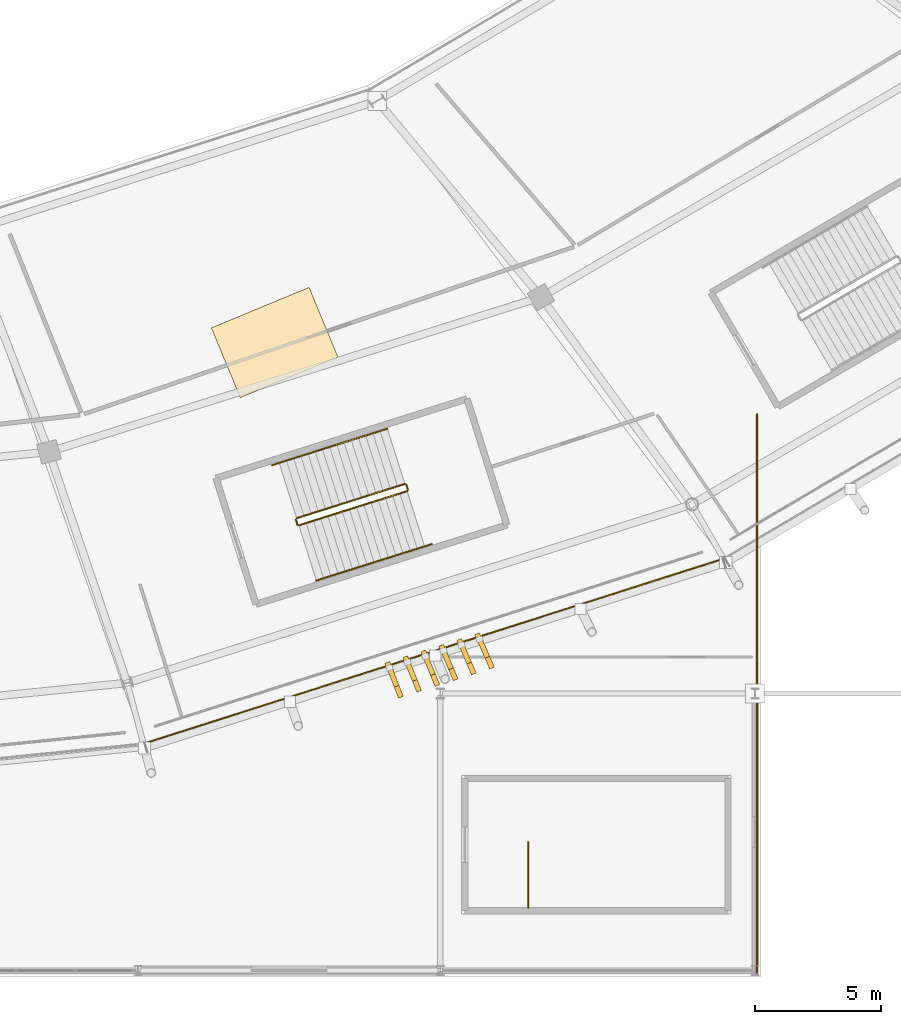
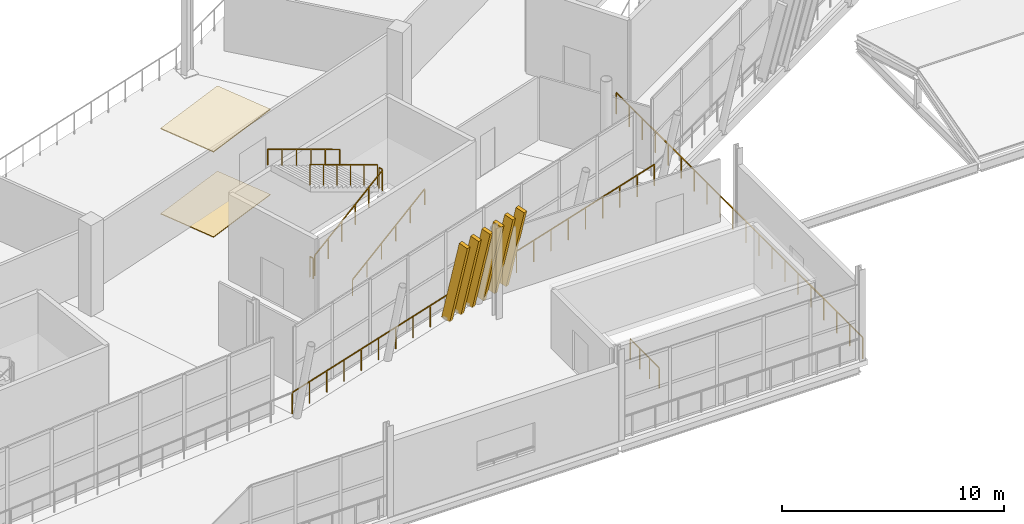
# One storey, part 159 of 179: 9 railings, 6 shading devices, 2 coverings.
"""IFC4 building model written with IfcOpenShell, lengths in metres."""

from ifc_helpers import new_model, si_unit, direction, frame, origin, origin_2d, place, context, subcontext, project, spatial, polyline, rectangle, outline, extrude, material, layer, layer_set, material_profile, profile_set, type_object, element, save


model = new_model("IFC4")

# Units and contexts
model_context = context("Model", 3, precision=1e-05, world=origin(), true_north=direction((0.0, 1.0)))
body_context = subcontext(model_context, "Body", "Model", "MODEL_VIEW")
ifc_project = project(units=[si_unit("LENGTHUNIT", "METRE"), si_unit("AREAUNIT", "SQUARE_METRE"), si_unit("VOLUMEUNIT", "CUBIC_METRE"), si_unit("PLANEANGLEUNIT", "RADIAN"), si_unit("MASSUNIT", "GRAM", prefix="KILO")], contexts=[model_context])

# Site, building, storey
site_placement = place(None, origin())
site = spatial("IfcSite", under=ifc_project, at=site_placement, CompositionType="ELEMENT")
building_placement = place(site_placement, origin())
building = spatial("IfcBuilding", under=site, at=building_placement, Name="Zlatoyarsky Gate Stadium", CompositionType="ELEMENT")
storey_placement = place(building_placement, frame((0.0, 0.0, 10.60009765625)))
storey = spatial("IfcBuildingStorey", under=building, at=storey_placement, Name="L02", CompositionType="ELEMENT", Elevation=10.60009765625)

# Railings
ifc_material_1 = material(Name="Powder-coated steel tubular guardrail", Category="steel")
railing_type_1 = type_object("IfcRailingType", Name="CONCOURSE SLAB EDGE GUARDRAIL 1200", PredefinedType="GUARDRAIL", material=ifc_material_1)
railing_1_placement = place(storey_placement, frame((135.71630859375, 9.00830078125, 0.0)))
element("IfcRailing", 1, at=railing_1_placement, inside=storey, type_object=railing_type_1, Name="L02 outer slab edge guardrail 19", PredefinedType="GUARDRAIL", context=body_context, shape_type="SweptSolid", body=[
    extrude(rectangle(XDim=0.048095703125, YDim=0.048095703125, at=origin_2d()), frame((0.0, 0.0, 1.17578125), z_axis=(0.952758246059, 0.303729689966, 0.0), x_axis=(-0.303729689966, 0.952758246059, 0.0)), (0.0, 0.0, 1.0), 24.173828125),
    extrude(rectangle(XDim=0.0419921875, YDim=0.0419921875, at=origin_2d()), origin(), (0.0, 0.0, 1.0), 1.15185546875),
    extrude(rectangle(XDim=0.0419921875, YDim=0.0419921875, at=origin_2d()), frame((1.0966796875, 0.349609375, 0.0)), (0.0, 0.0, 1.0), 1.15185546875),
    extrude(rectangle(XDim=0.0419921875, YDim=0.0419921875, at=origin_2d()), frame((2.193603515625, 0.69921875, 0.0)), (0.0, 0.0, 1.0), 1.15185546875),
    extrude(rectangle(XDim=0.0419921875, YDim=0.0419921875, at=origin_2d()), frame((3.290283203125, 1.048828125, 0.0)), (0.0, 0.0, 1.0), 1.15185546875),
    extrude(rectangle(XDim=0.0419921875, YDim=0.0419921875, at=origin_2d()), frame((4.386962890625, 1.3984375, 0.0)), (0.0, 0.0, 1.0), 1.15185546875),
    extrude(rectangle(XDim=0.0419921875, YDim=0.0419921875, at=origin_2d()), frame((5.483642578125, 1.748046875, 0.0)), (0.0, 0.0, 1.0), 1.15185546875),
    extrude(rectangle(XDim=0.0419921875, YDim=0.0419921875, at=origin_2d()), frame((6.58056640625, 2.097900390625, 0.0)), (0.0, 0.0, 1.0), 1.15185546875),
    extrude(rectangle(XDim=0.0419921875, YDim=0.0419921875, at=origin_2d()), frame((7.67724609375, 2.447509765625, 0.0)), (0.0, 0.0, 1.0), 1.15185546875),
    extrude(rectangle(XDim=0.0419921875, YDim=0.0419921875, at=origin_2d()), frame((8.77392578125, 2.797119140625, 0.0)), (0.0, 0.0, 1.0), 1.15185546875),
    extrude(rectangle(XDim=0.0419921875, YDim=0.0419921875, at=origin_2d()), frame((9.870849609375, 3.146728515625, 0.0)), (0.0, 0.0, 1.0), 1.15185546875),
    extrude(rectangle(XDim=0.0419921875, YDim=0.0419921875, at=origin_2d()), frame((10.967529296875, 3.496337890625, 0.0)), (0.0, 0.0, 1.0), 1.15185546875),
    extrude(rectangle(XDim=0.0419921875, YDim=0.0419921875, at=origin_2d()), frame((12.064208984375, 3.845947265625, 0.0)), (0.0, 0.0, 1.0), 1.15185546875),
    extrude(rectangle(XDim=0.0419921875, YDim=0.0419921875, at=origin_2d()), frame((13.160888671875, 4.195556640625, 0.0)), (0.0, 0.0, 1.0), 1.15185546875),
    extrude(rectangle(XDim=0.0419921875, YDim=0.0419921875, at=origin_2d()), frame((14.2578125, 4.545166015625, 0.0)), (0.0, 0.0, 1.0), 1.15185546875),
    extrude(rectangle(XDim=0.0419921875, YDim=0.0419921875, at=origin_2d()), frame((15.3544921875, 4.894775390625, 0.0)), (0.0, 0.0, 1.0), 1.15185546875),
    extrude(rectangle(XDim=0.0419921875, YDim=0.0419921875, at=origin_2d()), frame((16.451171875, 5.244384765625, 0.0)), (0.0, 0.0, 1.0), 1.15185546875),
    extrude(rectangle(XDim=0.0419921875, YDim=0.0419921875, at=origin_2d()), frame((17.548095703125, 5.59423828125, 0.0)), (0.0, 0.0, 1.0), 1.15185546875),
    extrude(rectangle(XDim=0.0419921875, YDim=0.0419921875, at=origin_2d()), frame((18.644775390625, 5.94384765625, 0.0)), (0.0, 0.0, 1.0), 1.15185546875),
    extrude(rectangle(XDim=0.0419921875, YDim=0.0419921875, at=origin_2d()), frame((19.741455078125, 6.29345703125, 0.0)), (0.0, 0.0, 1.0), 1.15185546875),
    extrude(rectangle(XDim=0.0419921875, YDim=0.0419921875, at=origin_2d()), frame((20.838134765625, 6.64306640625, 0.0)), (0.0, 0.0, 1.0), 1.15185546875),
    extrude(rectangle(XDim=0.0419921875, YDim=0.0419921875, at=origin_2d()), frame((21.93505859375, 6.99267578125, 0.0)), (0.0, 0.0, 1.0), 1.15185546875),
    extrude(rectangle(XDim=0.0419921875, YDim=0.0419921875, at=origin_2d()), frame((23.03173828125, 7.34228515625, 0.0)), (0.0, 0.0, 1.0), 1.15185546875),
])
railing_2_placement = place(storey_placement, frame((160.080078125, -0.080078125, 0.0)))
element("IfcRailing", 2, at=railing_2_placement, inside=storey, type_object=railing_type_1, Name="V3_SOUTH L02 E slab edge guardrail", PredefinedType="GUARDRAIL", context=body_context, shape_type="SweptSolid", body=[
    extrude(rectangle(XDim=0.048095703125, YDim=0.048095703125, at=origin_2d()), frame((0.0, 0.0, 1.17578125), z_axis=(0.0, 1.0, 0.0), x_axis=(-1.0, 0.0, 0.0)), (0.0, 0.0, 1.0), 22.16015625),
    extrude(rectangle(XDim=0.0419921875, YDim=0.0419921875, at=origin_2d()), origin(), (0.0, 0.0, 1.0), 1.15185546875),
    extrude(rectangle(XDim=0.0419921875, YDim=0.0419921875, at=origin_2d()), frame((0.0, 1.166259765625, 0.0)), (0.0, 0.0, 1.0), 1.15185546875),
    extrude(rectangle(XDim=0.0419921875, YDim=0.0419921875, at=origin_2d()), frame((0.0, 2.332763671875, 0.0)), (0.0, 0.0, 1.0), 1.15185546875),
    extrude(rectangle(XDim=0.0419921875, YDim=0.0419921875, at=origin_2d()), frame((0.0, 3.4990234375, 0.0)), (0.0, 0.0, 1.0), 1.15185546875),
    extrude(rectangle(XDim=0.0419921875, YDim=0.0419921875, at=origin_2d()), frame((0.0, 4.665283203125, 0.0)), (0.0, 0.0, 1.0), 1.15185546875),
    extrude(rectangle(XDim=0.0419921875, YDim=0.0419921875, at=origin_2d()), frame((0.0, 5.83154296875, 0.0)), (0.0, 0.0, 1.0), 1.15185546875),
    extrude(rectangle(XDim=0.0419921875, YDim=0.0419921875, at=origin_2d()), frame((0.0, 6.998046875, 0.0)), (0.0, 0.0, 1.0), 1.15185546875),
    extrude(rectangle(XDim=0.0419921875, YDim=0.0419921875, at=origin_2d()), frame((0.0, 8.164306640625, 0.0)), (0.0, 0.0, 1.0), 1.15185546875),
    extrude(rectangle(XDim=0.0419921875, YDim=0.0419921875, at=origin_2d()), frame((0.0, 9.33056640625, 0.0)), (0.0, 0.0, 1.0), 1.15185546875),
    extrude(rectangle(XDim=0.0419921875, YDim=0.0419921875, at=origin_2d()), frame((0.0, 10.496826171875, 0.0)), (0.0, 0.0, 1.0), 1.15185546875),
    extrude(rectangle(XDim=0.0419921875, YDim=0.0419921875, at=origin_2d()), frame((0.0, 11.663330078125, 0.0)), (0.0, 0.0, 1.0), 1.15185546875),
    extrude(rectangle(XDim=0.0419921875, YDim=0.0419921875, at=origin_2d()), frame((0.0, 12.82958984375, 0.0)), (0.0, 0.0, 1.0), 1.15185546875),
    extrude(rectangle(XDim=0.0419921875, YDim=0.0419921875, at=origin_2d()), frame((0.0, 13.995849609375, 0.0)), (0.0, 0.0, 1.0), 1.15185546875),
    extrude(rectangle(XDim=0.0419921875, YDim=0.0419921875, at=origin_2d()), frame((0.0, 15.162109375, 0.0)), (0.0, 0.0, 1.0), 1.15185546875),
    extrude(rectangle(XDim=0.0419921875, YDim=0.0419921875, at=origin_2d()), frame((0.0, 16.32861328125, 0.0)), (0.0, 0.0, 1.0), 1.15185546875),
    extrude(rectangle(XDim=0.0419921875, YDim=0.0419921875, at=origin_2d()), frame((0.0, 17.494873046875, 0.0)), (0.0, 0.0, 1.0), 1.15185546875),
    extrude(rectangle(XDim=0.0419921875, YDim=0.0419921875, at=origin_2d()), frame((0.0, 18.6611328125, 0.0)), (0.0, 0.0, 1.0), 1.15185546875),
    extrude(rectangle(XDim=0.0419921875, YDim=0.0419921875, at=origin_2d()), frame((0.0, 19.827392578125, 0.0)), (0.0, 0.0, 1.0), 1.15185546875),
    extrude(rectangle(XDim=0.0419921875, YDim=0.0419921875, at=origin_2d()), frame((0.0, 20.993896484375, 0.0)), (0.0, 0.0, 1.0), 1.15185546875),
    extrude(rectangle(XDim=0.0419921875, YDim=0.0419921875, at=origin_2d()), frame((0.0, 22.16015625, 0.0)), (0.0, 0.0, 1.0), 1.15185546875),
])
ifc_material_2 = material(Name="Powder-coated steel stair guardrail", Category="steel")
railing_type_2 = type_object("IfcRailingType", Name="PAINTED STEEL STAIR WELL GUARDRAIL 1150", PredefinedType="GUARDRAIL", material=ifc_material_2)
railing_3_placement = place(storey_placement, frame((141.891357421875, 17.678466796875, 0.15625)))
element("IfcRailing", 3, at=railing_3_placement, inside=storey, type_object=railing_type_2, Name="ST-16 L02 stair guard 1", PredefinedType="GUARDRAIL", context=body_context, shape_type="SweptSolid", body=[
    extrude(rectangle(XDim=0.048095703125, YDim=0.048095703125, at=origin_2d()), frame((0.0, 0.0, 1.1259765625), z_axis=(0.845655031246, 0.26738577574, 0.461922520624), x_axis=(-0.301476673217, 0.953473552599, 0.0)), (0.0, 0.0, 1.0), 5.073974609375),
    extrude(rectangle(XDim=0.0419921875, YDim=0.0419921875, at=origin_2d()), origin(), (0.0, 0.0, 1.0), 1.101806640625),
    extrude(rectangle(XDim=0.0419921875, YDim=0.0419921875, at=origin_2d()), frame((0.858154296875, 0.271240234375, 0.46875)), (0.0, 0.0, 1.0), 1.101806640625),
    extrude(rectangle(XDim=0.0419921875, YDim=0.0419921875, at=origin_2d()), frame((1.71630859375, 0.542724609375, 0.9375)), (0.0, 0.0, 1.0), 1.101806640625),
    extrude(rectangle(XDim=0.0419921875, YDim=0.0419921875, at=origin_2d()), frame((2.574462890625, 0.81396484375, 1.40625)), (0.0, 0.0, 1.0), 1.101806640625),
    extrude(rectangle(XDim=0.0419921875, YDim=0.0419921875, at=origin_2d()), frame((3.4326171875, 1.08544921875, 1.875)), (0.0, 0.0, 1.0), 1.101806640625),
    extrude(rectangle(XDim=0.0419921875, YDim=0.0419921875, at=origin_2d()), frame((4.290771484375, 1.356689453125, 2.34375)), (0.0, 0.0, 1.0), 1.101806640625),
])
railing_4_placement = place(storey_placement, frame((146.214599609375, 19.097900390625, 2.5)))
element("IfcRailing", 4, at=railing_4_placement, inside=storey, type_object=railing_type_2, Name="ST-16 L02 stair guard 2", PredefinedType="GUARDRAIL", context=body_context, shape_type="SweptSolid", body=[
    extrude(rectangle(XDim=0.048095703125, YDim=0.048095703125, at=origin_2d()), frame((0.0, 0.0, 1.1259765625), z_axis=(-0.301540327315, 0.953453423615, 0.0), x_axis=(-0.953453423615, -0.301540327315, 0.0)), (0.0, 0.0, 1.0), 0.199951171875),
    extrude(rectangle(XDim=0.0419921875, YDim=0.0419921875, at=origin_2d()), origin(), (0.0, 0.0, 1.0), 1.101806640625),
    extrude(rectangle(XDim=0.0419921875, YDim=0.0419921875, at=origin_2d()), frame((-0.060302734375, 0.190673828125, 0.0)), (0.0, 0.0, 1.0), 1.101806640625),
])
railing_5_placement = place(storey_placement, frame((146.091552734375, 19.3212890625, 2.65625)))
element("IfcRailing", 5, at=railing_5_placement, inside=storey, type_object=railing_type_2, Name="ST-16 L02 stair guard 3", PredefinedType="GUARDRAIL", context=body_context, shape_type="SweptSolid", body=[
    extrude(rectangle(XDim=0.048095703125, YDim=0.048095703125, at=origin_2d()), frame((0.0, 0.0, 1.1259765625), z_axis=(-0.845630441965, -0.267441333586, 0.461935372873), x_axis=(0.301541590324, -0.953453024173, 0.0)), (0.0, 0.0, 1.0), 5.07373046875),
    extrude(rectangle(XDim=0.0419921875, YDim=0.0419921875, at=origin_2d()), origin(), (0.0, 0.0, 1.0), 1.101806640625),
    extrude(rectangle(XDim=0.0419921875, YDim=0.0419921875, at=origin_2d()), frame((-0.858154296875, -0.271484375, 0.46875)), (0.0, 0.0, 1.0), 1.101806640625),
    extrude(rectangle(XDim=0.0419921875, YDim=0.0419921875, at=origin_2d()), frame((-1.71630859375, -0.542724609375, 0.9375)), (0.0, 0.0, 1.0), 1.101806640625),
    extrude(rectangle(XDim=0.0419921875, YDim=0.0419921875, at=origin_2d()), frame((-2.57421875, -0.814208984375, 1.40625)), (0.0, 0.0, 1.0), 1.101806640625),
    extrude(rectangle(XDim=0.0419921875, YDim=0.0419921875, at=origin_2d()), frame((-3.432373046875, -1.08544921875, 1.875)), (0.0, 0.0, 1.0), 1.101806640625),
    extrude(rectangle(XDim=0.0419921875, YDim=0.0419921875, at=origin_2d()), frame((-4.29052734375, -1.35693359375, 2.34375)), (0.0, 0.0, 1.0), 1.101806640625),
])
railing_6_placement = place(storey_placement, frame((141.82861328125, 17.7109375, 0.0)))
element("IfcRailing", 6, at=railing_6_placement, inside=storey, type_object=railing_type_2, Name="ST-16 L02 stair guard 4", PredefinedType="GUARDRAIL", context=body_context, shape_type="SweptSolid", body=[
    extrude(rectangle(XDim=0.048095703125, YDim=0.048095703125, at=origin_2d()), frame((0.0, 0.0, 1.1259765625), z_axis=(-0.301540327315, 0.953453423615, 0.0), x_axis=(-0.953453423615, -0.301540327315, 0.0)), (0.0, 0.0, 1.0), 0.199951171875),
    extrude(rectangle(XDim=0.0419921875, YDim=0.0419921875, at=origin_2d()), origin(), (0.0, 0.0, 1.0), 1.101806640625),
    extrude(rectangle(XDim=0.0419921875, YDim=0.0419921875, at=origin_2d()), frame((-0.060302734375, 0.190673828125, 0.0)), (0.0, 0.0, 1.0), 1.101806640625),
])
railing_7_placement = place(storey_placement, frame((151.0, 2.5, 0.0)))
element("IfcRailing", 7, at=railing_7_placement, inside=storey, type_object=railing_type_2, Name="ST-30 L02 top well guard 1", PredefinedType="GUARDRAIL", context=body_context, shape_type="SweptSolid", body=[
    extrude(rectangle(XDim=0.048095703125, YDim=0.048095703125, at=origin_2d()), frame((0.0, 0.0, 1.1259765625), z_axis=(0.0, 1.0, 0.0), x_axis=(-1.0, 0.0, 0.0)), (0.0, 0.0, 1.0), 2.60009765625),
    extrude(rectangle(XDim=0.0419921875, YDim=0.0419921875, at=origin_2d()), origin(), (0.0, 0.0, 1.0), 1.101806640625),
    extrude(rectangle(XDim=0.0419921875, YDim=0.0419921875, at=origin_2d()), frame((0.0, 0.86669921875, 0.0)), (0.0, 0.0, 1.0), 1.101806640625),
    extrude(rectangle(XDim=0.0419921875, YDim=0.0419921875, at=origin_2d()), frame((0.0, 1.7333984375, 0.0)), (0.0, 0.0, 1.0), 1.101806640625),
    extrude(rectangle(XDim=0.0419921875, YDim=0.0419921875, at=origin_2d()), frame((0.0, 2.60009765625, 0.0)), (0.0, 0.0, 1.0), 1.101806640625),
])

# Coverings
ifc_material_3 = material(Name="Perforated anodised aluminium acoustic ceiling", Category="aluminium")
ifc_layer_1 = layer(ifc_material_3, 0.050048828125)
ifc_layer_set_1 = layer_set([ifc_layer_1], Name="Perforated anodised aluminium acoustic ceiling")
covering_type_1 = type_object("IfcCoveringType", Name="PERFORATED ACOUSTIC BAFFLE CEILING 50", PredefinedType="CEILING", material=ifc_layer_set_1)
covering_1_placement = place(storey_placement, frame((0.0, 0.0, 4.669921875)))
element("IfcCovering", 8, at=covering_1_placement, inside=storey, type_object=covering_type_1, Name="L02 hospitality acoustic ceiling 07", PredefinedType="CEILING", context=body_context, shape_type="SweptSolid", body=[
    extrude(outline(polyline([(138.411865234375, 25.519287109375), (142.2919921875, 27.12646484375), (143.440185546875, 24.354736328125), (139.559814453125, 22.74755859375), (138.411865234375, 25.519287109375)])), origin(), (0.0, 0.0, 1.0), 0.050048828125),
])
ifc_material_4 = material(Name="Polished granite stone flooring", Category="masonry")
ifc_layer_2 = layer(ifc_material_4, 0.0400390625)
ifc_layer_set_2 = layer_set([ifc_layer_2], Name="Polished granite stone flooring")
covering_type_2 = type_object("IfcCoveringType", Name="POLISHED GRANITE CONCOURSE FLOORING 40", PredefinedType="FLOORING", material=ifc_layer_set_2)
covering_2_placement = place(storey_placement, origin())
element("IfcCovering", 9, at=covering_2_placement, inside=storey, type_object=covering_type_2, Name="L02 hospitality concourse granite flooring 07", PredefinedType="FLOORING", context=body_context, shape_type="SweptSolid", body=[
    extrude(outline(polyline([(138.411865234375, 25.519287109375), (142.2919921875, 27.12646484375), (143.440185546875, 24.354736328125), (139.559814453125, 22.74755859375), (138.411865234375, 25.519287109375)])), origin(), (0.0, 0.0, 1.0), 0.039794921875),
])

# Shading devices
ifc_material_5 = material(Name="Precast concrete C40/50 stone-toned architectural rib", Category="masonry")
ifc_material_profile = material_profile(ifc_material_5, rectangle(XDim=0.199951171875, YDim=0.47998046875, at=origin_2d()), Name="RIB 200X480")
ifc_profile_set = profile_set([ifc_material_profile], Name="Precast concrete C40/50 stone-toned architectural rib")
shading_device_type = type_object("IfcShadingDeviceType", Name="PRECAST FLUTED GATE LOUVRE BLADE 200X480", PredefinedType="SHUTTER", material=ifc_profile_set)
shading_device_1_placement = place(storey_placement, frame((145.483642578125, 12.018310546875, -0.010009765625), z_axis=(0.080616086407, -0.206349547474, 0.975151737357), x_axis=(0.931440835092, 0.363892801142, 0.0)))
element("IfcShadingDevice", 10, at=shading_device_1_placement, inside=storey, type_object=shading_device_type, Name="Leaning bowl louvre fin L02-19-1", PredefinedType="SHUTTER", context=body_context, shape_type="SweptSolid", body=[
    extrude(rectangle(XDim=0.199951171875, YDim=0.47998046875, at=origin_2d()), origin(), (0.0, 0.0, 1.0), 4.59423828125),
])
for number, where, z_axis, x_axis, name in (
    (11, (146.1982421875, 12.24609375, -0.010009765625), (0.082264152418, -0.205660381044, 0.975159687895), (0.928476690885, 0.371390676354, 0.0), "Leaning bowl louvre fin L02-19-2"),
    (12, (146.91259765625, 12.47412109375, -0.010009765625), (0.083964745462, -0.204969634965, 0.975160176721), (0.925367231354, 0.37907187595, 0.0), "Leaning bowl louvre fin L02-19-3"),
    (13, (147.627197265625, 12.701904296875, -0.010009765625), (0.085612299124, -0.204279129629, 0.975161818078), (0.922279926191, 0.386522622553, 0.0), "Leaning bowl louvre fin L02-19-4"),
    (14, (148.341796875, 12.9296875, -0.010009765625), (0.087259579866, -0.203587972269, 0.975160347465), (0.919132619919, 0.393948254217, 0.0), "Leaning bowl louvre fin L02-19-5"),
):
    element("IfcShadingDevice", number, at=place(storey_placement, frame(where, z_axis=z_axis, x_axis=x_axis)), inside=storey, type_object=shading_device_type, Name=name, PredefinedType="SHUTTER", context=body_context, shape_type="SweptSolid", body=[
        extrude(rectangle(XDim=0.199951171875, YDim=0.47998046875, at=origin_2d()), origin(), (0.0, 0.0, 1.0), 4.593994140625),
    ])
shading_device_2_placement = place(storey_placement, frame((149.056396484375, 13.15771484375, -0.010009765625), z_axis=(0.088906571919, -0.202896169509, 0.975155764926), x_axis=(0.915925937658, 0.401347326795, 0.0)))
element("IfcShadingDevice", 15, at=shading_device_2_placement, inside=storey, type_object=shading_device_type, Name="Leaning bowl louvre fin L02-19-6", PredefinedType="SHUTTER", context=body_context, shape_type="SweptSolid", body=[
    extrude(rectangle(XDim=0.199951171875, YDim=0.47998046875, at=origin_2d()), origin(), (0.0, 0.0, 1.0), 4.59423828125),
])

# Railings
ifc_material_6 = material(Name="Brushed stainless steel 316 handrail", Category="steel")
railing_type_3 = type_object("IfcRailingType", Name="STAINLESS STEEL TUBULAR HANDRAIL 900", PredefinedType="HANDRAIL", material=ifc_material_6)
railing_8_placement = place(storey_placement, frame((142.5849609375, 15.4853515625, 0.16015625)))
element("IfcRailing", 16, at=railing_8_placement, inside=storey, type_object=railing_type_3, Name="ST-16 L02 stair handrail 1", PredefinedType="HANDRAIL", context=body_context, shape_type="SweptSolid", body=[
    extrude(rectangle(XDim=0.048095703125, YDim=0.048095703125, at=origin_2d()), frame((0.0, 0.0, 0.8759765625), z_axis=(0.845641023653, 0.267414914553, 0.461931296395), x_axis=(-0.301511080938, 0.953462672616, 0.0)), (0.0, 0.0, 1.0), 5.412109375),
    extrude(rectangle(XDim=0.0419921875, YDim=0.0419921875, at=origin_2d()), origin(), (0.0, 0.0, 1.0), 0.851806640625),
    extrude(rectangle(XDim=0.0419921875, YDim=0.0419921875, at=origin_2d()), frame((0.915283203125, 0.28955078125, 0.5)), (0.0, 0.0, 1.0), 0.851806640625),
    extrude(rectangle(XDim=0.0419921875, YDim=0.0419921875, at=origin_2d()), frame((1.83056640625, 0.578857421875, 1.0)), (0.0, 0.0, 1.0), 0.851806640625),
    extrude(rectangle(XDim=0.0419921875, YDim=0.0419921875, at=origin_2d()), frame((2.74609375, 0.868408203125, 1.5)), (0.0, 0.0, 1.0), 0.851806640625),
    extrude(rectangle(XDim=0.0419921875, YDim=0.0419921875, at=origin_2d()), frame((3.661376953125, 1.15771484375, 2.0)), (0.0, 0.0, 1.0), 0.851806640625),
    extrude(rectangle(XDim=0.0419921875, YDim=0.0419921875, at=origin_2d()), frame((4.57666015625, 1.447265625, 2.5)), (0.0, 0.0, 1.0), 0.851806640625),
])
railing_9_placement = place(storey_placement, frame((145.398193359375, 21.51416015625, 2.66015625)))
element("IfcRailing", 17, at=railing_9_placement, inside=storey, type_object=railing_type_3, Name="ST-16 L02 stair handrail 2", PredefinedType="HANDRAIL", context=body_context, shape_type="SweptSolid", body=[
    extrude(rectangle(XDim=0.048095703125, YDim=0.048095703125, at=origin_2d()), frame((0.0, 0.0, 0.8759765625), z_axis=(-0.845641023653, -0.267414914553, 0.461931296395), x_axis=(0.301511080938, -0.953462672616, 0.0)), (0.0, 0.0, 1.0), 5.412109375),
    extrude(rectangle(XDim=0.0419921875, YDim=0.0419921875, at=origin_2d()), origin(), (0.0, 0.0, 1.0), 0.851806640625),
    extrude(rectangle(XDim=0.0419921875, YDim=0.0419921875, at=origin_2d()), frame((-0.915283203125, -0.28955078125, 0.5)), (0.0, 0.0, 1.0), 0.851806640625),
    extrude(rectangle(XDim=0.0419921875, YDim=0.0419921875, at=origin_2d()), frame((-1.83056640625, -0.578857421875, 1.0)), (0.0, 0.0, 1.0), 0.851806640625),
    extrude(rectangle(XDim=0.0419921875, YDim=0.0419921875, at=origin_2d()), frame((-2.74609375, -0.868408203125, 1.5)), (0.0, 0.0, 1.0), 0.851806640625),
    extrude(rectangle(XDim=0.0419921875, YDim=0.0419921875, at=origin_2d()), frame((-3.661376953125, -1.15771484375, 2.0)), (0.0, 0.0, 1.0), 0.851806640625),
    extrude(rectangle(XDim=0.0419921875, YDim=0.0419921875, at=origin_2d()), frame((-4.57666015625, -1.447265625, 2.5)), (0.0, 0.0, 1.0), 0.851806640625),
])

save(model, "model.ifc")
